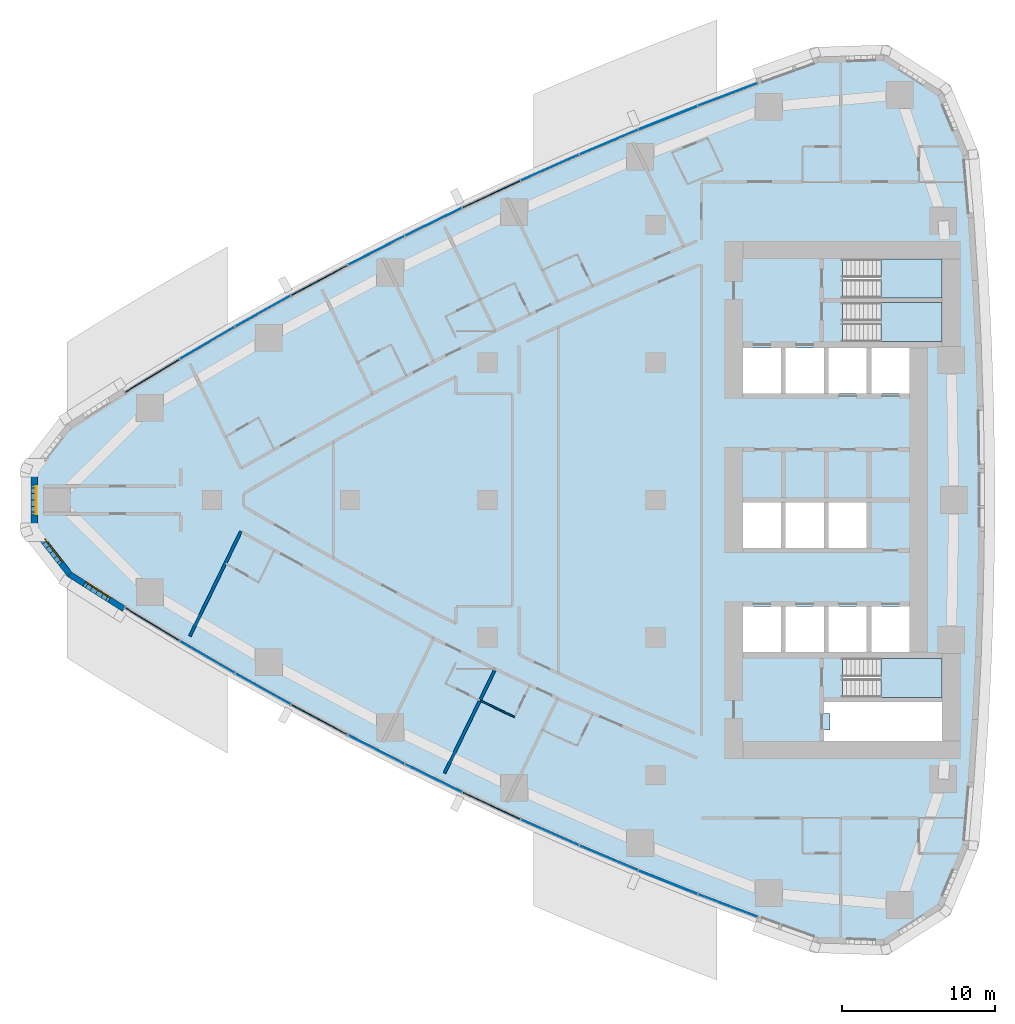
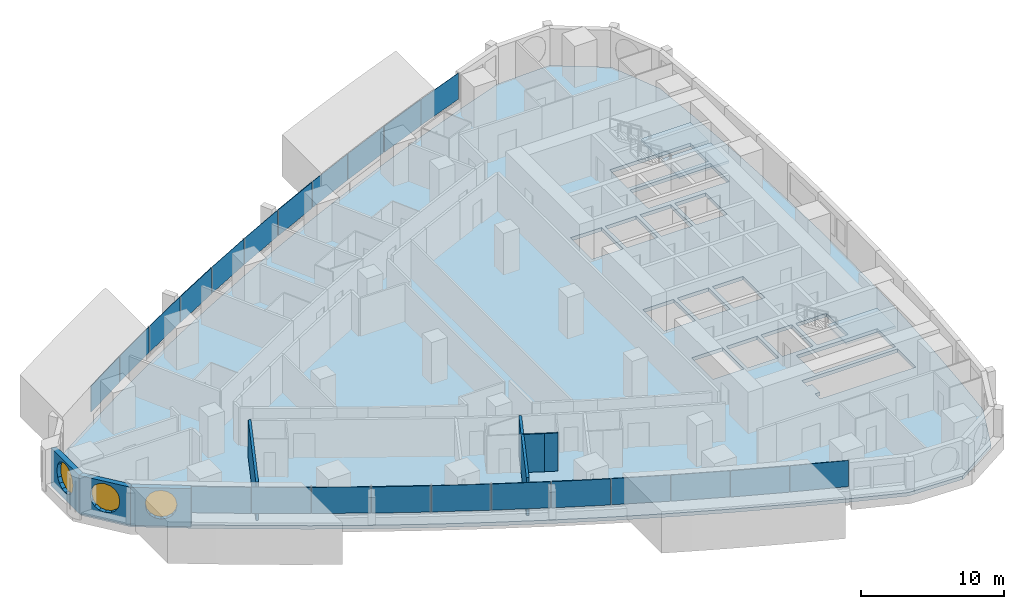
# One storey, part 8 of 19: 22 plates, 7 walls, 4 slabs, 3 windows, 4 openings, 13 elements without a shape of their own.
"""IFC4 building model written with IfcOpenShell, lengths in metres."""

from ifc_helpers import new_model, si_unit, direction, frame, frame_2d, origin, origin_2d, place, context, subcontext, project, spatial, polyline, rectangle, outline, extrude, material, layer, layer_set, type_object, element, fill, aggregate, save


model = new_model("IFC4")

# Units and contexts
model_context = context("Model", 3, precision=1e-05, world=origin(), true_north=direction((0.0, 1.0)))
body_context = subcontext(model_context, "Body", "Model", "MODEL_VIEW")
ifc_project = project(units=[si_unit("LENGTHUNIT", "METRE"), si_unit("AREAUNIT", "SQUARE_METRE"), si_unit("VOLUMEUNIT", "CUBIC_METRE"), si_unit("PLANEANGLEUNIT", "RADIAN"), si_unit("MASSUNIT", "GRAM", prefix="KILO")], contexts=[model_context])

# Site, building, storey
site_placement = place(None, origin())
site = spatial("IfcSite", under=ifc_project, at=site_placement, CompositionType="ELEMENT")
building_placement = place(site_placement, origin())
building = spatial("IfcBuilding", under=site, at=building_placement, Name="Ostrand Prow Hotel Tower", CompositionType="ELEMENT")
storey_placement = place(building_placement, frame((0.0, 0.0, 39.60009765625)))
storey = spatial("IfcBuildingStorey", under=building, at=storey_placement, Name="L07", CompositionType="ELEMENT", Elevation=39.60009765625)

# Curtain wall, plate
ifc_material_1 = material(Name="Insulated glass in bronze anodised frame", Category="glass")
ifc_layer_1 = layer(ifc_material_1, 0.199951171875)
ifc_layer_set_1 = layer_set([ifc_layer_1], Name="Insulated glass in bronze anodised frame")
curtain_wall_type = type_object("IfcCurtainWallType", Name="Strip curtain wall, fritted glass over bronze spandrel", PredefinedType="NOTDEFINED", material=ifc_layer_set_1)
curtain_wall_1_placement = place(storey_placement, origin())
curtain_wall_1 = element("IfcCurtainWall", 1, at=curtain_wall_1_placement, inside=storey, type_object=curtain_wall_type, Name="CW1 run CWS1", PredefinedType="NOTDEFINED")
ifc_material_2 = material(Name="Ceramic-fritted glass", Category="glass")
ifc_layer_2 = layer(ifc_material_2, 0.031982421875)
ifc_layer_set_2 = layer_set([ifc_layer_2], Name="Ceramic-fritted glass")
plate_type_1 = type_object("IfcPlateType", Name="Dot-fritted ceramic glass unit 32 mm", PredefinedType="CURTAIN_PANEL", material=ifc_layer_set_2)
plate_1_placement = place(storey_placement, frame((15.688720703125, -10.268798828125, 1.02001953125), z_axis=(0.0, 0.0, 1.0), x_axis=(0.863690392896, -0.50402272292, 0.0)))
plate_1 = element("IfcPlate", 2, at=plate_1_placement, type_object=plate_type_1, Name="CW1 PN-D panel 2.2", PredefinedType="CURTAIN_PANEL", context=body_context, shape_type="SweptSolid", body=[
    extrude(rectangle(XDim=4.13427734375, YDim=0.031982421875, at=origin_2d()), origin(), (0.0, 0.0, 1.0), 2.22998046875),
])

# Curtain wall, plates
curtain_wall_2_placement = place(storey_placement, origin())
curtain_wall_2 = element("IfcCurtainWall", 3, at=curtain_wall_2_placement, inside=storey, type_object=curtain_wall_type, Name="CW1 run CWS2", PredefinedType="NOTDEFINED")
plate_2_placement = place(storey_placement, frame((19.33056640625, -12.349365234375, 1.02001953125), z_axis=(0.0, 0.0, 1.0), x_axis=(0.872819029241, -0.488043996167, 0.0)))
plate_2 = element("IfcPlate", 4, at=plate_2_placement, type_object=plate_type_1, Name="CW1 PN-D panel 1.2", PredefinedType="CURTAIN_PANEL", context=body_context, shape_type="SweptSolid", body=[
    extrude(rectangle(XDim=4.13427734375, YDim=0.031982421875, at=origin_2d()), origin(), (0.0, 0.0, 1.0), 2.22998046875),
])
plate_3_placement = place(storey_placement, frame((26.7255859375, -16.3076171875, 1.02001953125), z_axis=(0.0, 0.0, 1.0), x_axis=(0.890186565631, -0.455596179055, 0.0)))
plate_3 = element("IfcPlate", 5, at=plate_3_placement, type_object=plate_type_1, Name="CW1 PN-D panel 3.2", PredefinedType="CURTAIN_PANEL", context=body_context, shape_type="SweptSolid", body=[
    extrude(rectangle(XDim=4.13427734375, YDim=0.031982421875, at=origin_2d()), origin(), (0.0, 0.0, 1.0), 2.22998046875),
])

# Curtain wall, plate
curtain_wall_3_placement = place(storey_placement, origin())
curtain_wall_3 = element("IfcCurtainWall", 6, at=curtain_wall_3_placement, inside=storey, type_object=curtain_wall_type, Name="CW1 run CWS3", PredefinedType="NOTDEFINED")
plate_4_placement = place(storey_placement, frame((30.4765625, -18.183837890625, 1.02001953125), z_axis=(0.0, 0.0, 1.0), x_axis=(0.898419584131, -0.439138077204, 0.0)))
plate_4 = element("IfcPlate", 7, at=plate_4_placement, type_object=plate_type_1, Name="CW1 PN-D panel 1.2", PredefinedType="CURTAIN_PANEL", context=body_context, shape_type="SweptSolid", body=[
    extrude(rectangle(XDim=4.13427734375, YDim=0.031982421875, at=origin_2d()), origin(), (0.0, 0.0, 1.0), 2.22998046875),
])

# Curtain wall, plates
curtain_wall_4_placement = place(storey_placement, origin())
curtain_wall_4 = element("IfcCurtainWall", 8, at=curtain_wall_4_placement, inside=storey, type_object=curtain_wall_type, Name="CW1 run CWS4", PredefinedType="NOTDEFINED")
plate_5_placement = place(storey_placement, frame((38.078857421875, -21.72802734375, 1.02001953125), z_axis=(0.0, 0.0, 1.0), x_axis=(0.913970890274, -0.405779757666, 0.0)))
plate_5 = element("IfcPlate", 9, at=plate_5_placement, type_object=plate_type_1, Name="CW1 PN-D panel 1.2", PredefinedType="CURTAIN_PANEL", context=body_context, shape_type="SweptSolid", body=[
    extrude(rectangle(XDim=4.13427734375, YDim=0.031982421875, at=origin_2d()), origin(), (0.0, 0.0, 1.0), 2.22998046875),
])
plate_6_placement = place(storey_placement, frame((41.927490234375, -23.39453125, 1.02001953125), z_axis=(0.0, 0.0, 1.0), x_axis=(0.921283173987, -0.388892418709, 0.0)))
plate_6 = element("IfcPlate", 10, at=plate_6_placement, type_object=plate_type_1, Name="CW1 PN-D panel 2.2", PredefinedType="CURTAIN_PANEL", context=body_context, shape_type="SweptSolid", body=[
    extrude(rectangle(XDim=4.13427734375, YDim=0.031982421875, at=origin_2d()), origin(), (0.0, 0.0, 1.0), 2.22998046875),
])
aggregate(curtain_wall_4, [plate_5, plate_6])

# Curtain wall, plate
curtain_wall_5_placement = place(storey_placement, origin())
curtain_wall_5 = element("IfcCurtainWall", 11, at=curtain_wall_5_placement, inside=storey, type_object=curtain_wall_type, Name="CW1 run CWS5", PredefinedType="NOTDEFINED")
plate_7_placement = place(storey_placement, frame((49.7138671875, -26.513671875, 1.02001953125), z_axis=(0.0, 0.0, 1.0), x_axis=(0.934969388384, -0.354728407072, 0.0)))
plate_7 = element("IfcPlate", 12, at=plate_7_placement, type_object=plate_type_1, Name="CW1 PN-D panel 2.2", PredefinedType="CURTAIN_PANEL", context=body_context, shape_type="SweptSolid", body=[
    extrude(rectangle(XDim=4.13427734375, YDim=0.031982421875, at=origin_2d()), origin(), (0.0, 0.0, 1.0), 2.22998046875),
])

curtain_wall_6_placement = place(storey_placement, origin())
curtain_wall_6 = element("IfcCurtainWall", 13, at=curtain_wall_6_placement, inside=storey, type_object=curtain_wall_type, Name="CW1 run CWN1", PredefinedType="NOTDEFINED")
plate_8_placement = place(storey_placement, frame((49.7138671875, 26.513671875, 1.02001953125), z_axis=(0.0, 0.0, 1.0), x_axis=(-0.934969388384, -0.354728407072, 0.0)))
plate_8 = element("IfcPlate", 14, at=plate_8_placement, type_object=plate_type_1, Name="CW1 PN-D panel 1.2", PredefinedType="CURTAIN_PANEL", context=body_context, shape_type="SweptSolid", body=[
    extrude(rectangle(XDim=4.13427734375, YDim=0.031982421875, at=origin_2d()), origin(), (0.0, 0.0, 1.0), 2.22998046875),
])

# Curtain wall, plates
curtain_wall_7_placement = place(storey_placement, origin())
curtain_wall_7 = element("IfcCurtainWall", 15, at=curtain_wall_7_placement, inside=storey, type_object=curtain_wall_type, Name="CW1 run CWN2", PredefinedType="NOTDEFINED")
plate_9_placement = place(storey_placement, frame((41.927490234375, 23.39453125, 1.02001953125), z_axis=(0.0, 0.0, 1.0), x_axis=(-0.921283173987, -0.388892418709, 0.0)))
plate_9 = element("IfcPlate", 16, at=plate_9_placement, type_object=plate_type_1, Name="CW1 PN-D panel 1.2", PredefinedType="CURTAIN_PANEL", context=body_context, shape_type="SweptSolid", body=[
    extrude(rectangle(XDim=4.13427734375, YDim=0.031982421875, at=origin_2d()), origin(), (0.0, 0.0, 1.0), 2.22998046875),
])
plate_10_placement = place(storey_placement, frame((38.078857421875, 21.72802734375, 1.02001953125), z_axis=(0.0, 0.0, 1.0), x_axis=(-0.913970890274, -0.405779757666, 0.0)))
plate_10 = element("IfcPlate", 17, at=plate_10_placement, type_object=plate_type_1, Name="CW1 PN-D panel 2.2", PredefinedType="CURTAIN_PANEL", context=body_context, shape_type="SweptSolid", body=[
    extrude(rectangle(XDim=4.13427734375, YDim=0.031982421875, at=origin_2d()), origin(), (0.0, 0.0, 1.0), 2.22998046875),
])
aggregate(curtain_wall_7, [plate_9, plate_10])

# Curtain wall, plate
curtain_wall_8_placement = place(storey_placement, origin())
curtain_wall_8 = element("IfcCurtainWall", 18, at=curtain_wall_8_placement, inside=storey, type_object=curtain_wall_type, Name="CW1 run CWN3", PredefinedType="NOTDEFINED")
plate_11_placement = place(storey_placement, frame((30.4765625, 18.183837890625, 1.02001953125), z_axis=(0.0, 0.0, 1.0), x_axis=(-0.898419584131, -0.439138077204, 0.0)))
plate_11 = element("IfcPlate", 19, at=plate_11_placement, type_object=plate_type_1, Name="CW1 PN-D panel 2.2", PredefinedType="CURTAIN_PANEL", context=body_context, shape_type="SweptSolid", body=[
    extrude(rectangle(XDim=4.13427734375, YDim=0.031982421875, at=origin_2d()), origin(), (0.0, 0.0, 1.0), 2.22998046875),
])

# Curtain wall, plates
curtain_wall_9_placement = place(storey_placement, origin())
curtain_wall_9 = element("IfcCurtainWall", 20, at=curtain_wall_9_placement, inside=storey, type_object=curtain_wall_type, Name="CW1 run CWN4", PredefinedType="NOTDEFINED")
plate_12_placement = place(storey_placement, frame((26.7255859375, 16.3076171875, 1.02001953125), z_axis=(0.0, 0.0, 1.0), x_axis=(-0.890186565631, -0.455596179055, 0.0)))
plate_12 = element("IfcPlate", 21, at=plate_12_placement, type_object=plate_type_1, Name="CW1 PN-D panel 1.2", PredefinedType="CURTAIN_PANEL", context=body_context, shape_type="SweptSolid", body=[
    extrude(rectangle(XDim=4.13427734375, YDim=0.031982421875, at=origin_2d()), origin(), (0.0, 0.0, 1.0), 2.22998046875),
])
plate_13_placement = place(storey_placement, frame((19.33056640625, 12.349365234375, 1.02001953125), z_axis=(0.0, 0.0, 1.0), x_axis=(-0.872819029241, -0.488043996167, 0.0)))
plate_13 = element("IfcPlate", 22, at=plate_13_placement, type_object=plate_type_1, Name="CW1 PN-D panel 3.2", PredefinedType="CURTAIN_PANEL", context=body_context, shape_type="SweptSolid", body=[
    extrude(rectangle(XDim=4.13427734375, YDim=0.031982421875, at=origin_2d()), origin(), (0.0, 0.0, 1.0), 2.22998046875),
])

# Curtain wall, plate
curtain_wall_10_placement = place(storey_placement, origin())
curtain_wall_10 = element("IfcCurtainWall", 23, at=curtain_wall_10_placement, inside=storey, type_object=curtain_wall_type, Name="CW1 run CWN5", PredefinedType="NOTDEFINED")
plate_14_placement = place(storey_placement, frame((15.688720703125, 10.268798828125, 1.02001953125), z_axis=(0.0, 0.0, 1.0), x_axis=(-0.863690392896, -0.50402272292, 0.0)))
plate_14 = element("IfcPlate", 24, at=plate_14_placement, type_object=plate_type_1, Name="CW1 PN-D panel 1.2", PredefinedType="CURTAIN_PANEL", context=body_context, shape_type="SweptSolid", body=[
    extrude(rectangle(XDim=4.13427734375, YDim=0.031982421875, at=origin_2d()), origin(), (0.0, 0.0, 1.0), 2.22998046875),
])

# Plate
ifc_material_3 = material(Name="Fritted glass in bronze vent frame", Category="glass")
ifc_layer_3 = layer(ifc_material_3, 0.06005859375)
ifc_layer_set_3 = layer_set([ifc_layer_3], Name="Fritted glass in bronze vent frame")
plate_type_2 = type_object("IfcPlateType", Name="Operable vent panel 60 mm", PredefinedType="CURTAIN_PANEL", material=ifc_layer_set_3)
plate_15_placement = place(storey_placement, frame((12.0859375, -8.12158203125, 1.02001953125), z_axis=(0.0, 0.0, 1.0), x_axis=(0.854269266322, -0.519830761515, 0.0)))
plate_15 = element("IfcPlate", 25, at=plate_15_placement, type_object=plate_type_2, Name="CW1 PN-O panel 1.2", PredefinedType="CURTAIN_PANEL", context=body_context, shape_type="SweptSolid", body=[
    extrude(rectangle(XDim=4.13427734375, YDim=0.06005859375, at=origin_2d()), origin(), (0.0, 0.0, 1.0), 2.22998046875),
])

aggregate(curtain_wall_1, [plate_15, plate_1])

plate_16_placement = place(storey_placement, frame((23.009765625, -14.362548828125, 1.02001953125), z_axis=(0.0, 0.0, 1.0), x_axis=(0.881652083929, -0.471899992481, 0.0)))
plate_16 = element("IfcPlate", 26, at=plate_16_placement, type_object=plate_type_2, Name="CW1 PN-O panel 2.2", PredefinedType="CURTAIN_PANEL", context=body_context, shape_type="SweptSolid", body=[
    extrude(rectangle(XDim=4.13427734375, YDim=0.06005859375, at=origin_2d()), origin(), (0.0, 0.0, 1.0), 2.22998046875),
])

aggregate(curtain_wall_2, [plate_2, plate_16, plate_3])

plate_17_placement = place(storey_placement, frame((34.26123046875, -19.990966796875, 1.02001953125), z_axis=(0.0, 0.0, 1.0), x_axis=(0.906349088757, -0.422529678615, 0.0)))
plate_17 = element("IfcPlate", 27, at=plate_17_placement, type_object=plate_type_2, Name="CW1 PN-O panel 2.2", PredefinedType="CURTAIN_PANEL", context=body_context, shape_type="SweptSolid", body=[
    extrude(rectangle(XDim=4.13427734375, YDim=0.06005859375, at=origin_2d()), origin(), (0.0, 0.0, 1.0), 2.22998046875),
])

aggregate(curtain_wall_3, [plate_4, plate_17])

plate_18_placement = place(storey_placement, frame((45.806396484375, -24.989990234375, 1.02001953125), z_axis=(0.0, 0.0, 1.0), x_axis=(0.928283463577, -0.371873380669, 0.0)))
plate_18 = element("IfcPlate", 28, at=plate_18_placement, type_object=plate_type_2, Name="CW1 PN-O panel 1.2", PredefinedType="CURTAIN_PANEL", context=body_context, shape_type="SweptSolid", body=[
    extrude(rectangle(XDim=4.13427734375, YDim=0.06005859375, at=origin_2d()), origin(), (0.0, 0.0, 1.0), 2.22998046875),
])

aggregate(curtain_wall_5, [plate_18, plate_7])

plate_19_placement = place(storey_placement, frame((45.806396484375, 24.989990234375, 1.02001953125), z_axis=(0.0, 0.0, 1.0), x_axis=(-0.928283463577, -0.371873380669, 0.0)))
plate_19 = element("IfcPlate", 29, at=plate_19_placement, type_object=plate_type_2, Name="CW1 PN-O panel 2.2", PredefinedType="CURTAIN_PANEL", context=body_context, shape_type="SweptSolid", body=[
    extrude(rectangle(XDim=4.13427734375, YDim=0.06005859375, at=origin_2d()), origin(), (0.0, 0.0, 1.0), 2.22998046875),
])

aggregate(curtain_wall_6, [plate_8, plate_19])

plate_20_placement = place(storey_placement, frame((34.26123046875, 19.990966796875, 1.02001953125), z_axis=(0.0, 0.0, 1.0), x_axis=(-0.906349088757, -0.422529678615, 0.0)))
plate_20 = element("IfcPlate", 30, at=plate_20_placement, type_object=plate_type_2, Name="CW1 PN-O panel 1.2", PredefinedType="CURTAIN_PANEL", context=body_context, shape_type="SweptSolid", body=[
    extrude(rectangle(XDim=4.13427734375, YDim=0.06005859375, at=origin_2d()), origin(), (0.0, 0.0, 1.0), 2.22998046875),
])

aggregate(curtain_wall_8, [plate_20, plate_11])

plate_21_placement = place(storey_placement, frame((23.009765625, 14.362548828125, 1.02001953125), z_axis=(0.0, 0.0, 1.0), x_axis=(-0.881652083929, -0.471899992481, 0.0)))
plate_21 = element("IfcPlate", 31, at=plate_21_placement, type_object=plate_type_2, Name="CW1 PN-O panel 2.2", PredefinedType="CURTAIN_PANEL", context=body_context, shape_type="SweptSolid", body=[
    extrude(rectangle(XDim=4.13427734375, YDim=0.06005859375, at=origin_2d()), origin(), (0.0, 0.0, 1.0), 2.22998046875),
])

aggregate(curtain_wall_9, [plate_12, plate_21, plate_13])

plate_22_placement = place(storey_placement, frame((12.0859375, 8.12158203125, 1.02001953125), z_axis=(0.0, 0.0, 1.0), x_axis=(-0.854269266322, -0.519830761515, 0.0)))
plate_22 = element("IfcPlate", 32, at=plate_22_placement, type_object=plate_type_2, Name="CW1 PN-O panel 2.2", PredefinedType="CURTAIN_PANEL", context=body_context, shape_type="SweptSolid", body=[
    extrude(rectangle(XDim=4.13427734375, YDim=0.06005859375, at=origin_2d()), origin(), (0.0, 0.0, 1.0), 2.22998046875),
])

aggregate(curtain_wall_10, [plate_14, plate_22])

# Slab, opening
ifc_material_4 = material(Name="Concrete C40/50", Category="concrete")
ifc_layer_4 = layer(ifc_material_4, 0.300048828125)
ifc_layer_set_4 = layer_set([ifc_layer_4], Name="Concrete C40/50")
slab_type_1 = type_object("IfcSlabType", Name="PT flat plate 300 C40/50", PredefinedType="FLOOR", material=ifc_layer_set_4)
slab_1_placement = place(storey_placement, frame((0.0, 0.0, -0.300048828125)))
slab_1 = element("IfcSlab", 33, at=slab_1_placement, inside=storey, type_object=slab_type_1, Name="Floor slab L07-1", PredefinedType="FLOOR", context=body_context, shape_type="SweptSolid", body=[
    extrude(outline(polyline([(6.690673828125, 4.805908203125), (10.26806640625, 7.073974609375), (13.851806640625, 9.2548828125), (17.47509765625, 11.369384765625), (21.136962890625, 13.416748046875), (24.83544921875, 15.396484375), (28.570068359375, 17.3076171875), (32.339111328125, 19.14990234375), (36.141357421875, 20.922607421875), (39.9755859375, 22.625), (43.840576171875, 24.25634765625), (47.73486328125, 25.81640625), (51.6572265625, 27.3046875), (55.64111328125, 28.73291015625), (59.92333984375, 28.873046875), (63.55908203125, 26.53369140625), (65.2060546875, 22.578369140625), (65.552978515625, 18.45166015625), (65.828369140625, 14.356689453125), (66.034912109375, 10.2578125), (66.172607421875, 6.15576171875), (66.241455078125, 2.052001953125), (66.241455078125, -2.052001953125), (66.172607421875, -6.15576171875), (66.034912109375, -10.2578125), (65.828369140625, -14.356689453125), (65.552978515625, -18.45166015625), (65.2060546875, -22.578369140625), (63.55908203125, -26.53369140625), (59.92333984375, -28.873046875), (55.64111328125, -28.73291015625), (51.6572265625, -27.3046875), (47.73486328125, -25.81640625), (43.840576171875, -24.25634765625), (39.9755859375, -22.625), (36.141357421875, -20.922607421875), (32.339111328125, -19.14990234375), (28.570068359375, -17.3076171875), (24.83544921875, -15.396484375), (21.136962890625, -13.416748046875), (17.47509765625, -11.369384765625), (13.851806640625, -9.2548828125), (10.26806640625, -7.073974609375), (6.690673828125, -4.805908203125), (4.399169921875, -1.8798828125), (4.399169921875, 1.8798828125), (6.690673828125, 4.805908203125)]), holes=[polyline([(50.699951171875, 6.949951171875), (53.199951171875, 6.949951171875), (53.199951171875, 9.949951171875), (50.699951171875, 9.949951171875), (50.699951171875, 6.949951171875)]), polyline([(53.5, 6.949951171875), (56.0, 6.949951171875), (56.0, 9.949951171875), (53.5, 9.949951171875), (53.5, 6.949951171875)]), polyline([(56.300048828125, 6.949951171875), (58.800048828125, 6.949951171875), (58.800048828125, 9.949951171875), (56.300048828125, 9.949951171875), (56.300048828125, 6.949951171875)]), polyline([(59.10009765625, 6.949951171875), (61.60009765625, 6.949951171875), (61.60009765625, 9.949951171875), (59.10009765625, 9.949951171875), (59.10009765625, 6.949951171875)]), polyline([(50.699951171875, -3.14990234375), (53.199951171875, -3.14990234375), (53.199951171875, -0.14990234375), (50.699951171875, -0.14990234375), (50.699951171875, -3.14990234375)]), polyline([(53.5, -3.14990234375), (56.0, -3.14990234375), (56.0, -0.14990234375), (53.5, -0.14990234375), (53.5, -3.14990234375)]), polyline([(56.300048828125, -3.14990234375), (58.800048828125, -3.14990234375), (58.800048828125, -0.14990234375), (56.300048828125, -0.14990234375), (56.300048828125, -3.14990234375)]), polyline([(50.699951171875, -9.949951171875), (53.199951171875, -9.949951171875), (53.199951171875, -6.949951171875), (50.699951171875, -6.949951171875), (50.699951171875, -9.949951171875)]), polyline([(53.5, -9.949951171875), (56.0, -9.949951171875), (56.0, -6.949951171875), (53.5, -6.949951171875), (53.5, -9.949951171875)]), polyline([(56.300048828125, -9.949951171875), (58.800048828125, -9.949951171875), (58.800048828125, -6.949951171875), (56.300048828125, -6.949951171875), (56.300048828125, -9.949951171875)]), polyline([(59.10009765625, -9.949951171875), (61.60009765625, -9.949951171875), (61.60009765625, -6.949951171875), (59.10009765625, -6.949951171875), (59.10009765625, -9.949951171875)]), polyline([(57.200927734375, 10.35107421875), (57.200927734375, 12.89892578125), (63.718994140625, 12.89892578125), (63.718994140625, 10.35107421875), (57.200927734375, 10.35107421875)]), polyline([(57.200927734375, 13.200927734375), (57.200927734375, 15.7490234375), (63.718994140625, 15.7490234375), (63.718994140625, 13.200927734375), (57.200927734375, 13.200927734375)]), polyline([(57.200927734375, -12.89892578125), (57.200927734375, -10.35107421875), (63.718994140625, -10.35107421875), (63.718994140625, -12.89892578125), (57.200927734375, -12.89892578125)]), polyline([(56.0, -13.199951171875), (63.719970703125, -13.199951171875), (63.719970703125, -15.75), (56.0, -15.75), (56.0, -15.050048828125), (56.39990234375, -15.050048828125), (56.39990234375, -13.949951171875), (56.0, -13.949951171875), (56.0, -13.199951171875)])]), origin(), (0.0, 0.0, 1.0), 0.300048828125),
])
opening_1_placement = place(slab_1_placement, origin())
element("IfcOpeningElement", 34, at=opening_1_placement, cuts=slab_1, Name="Shaft opening 1", PredefinedType="OPENING", context=body_context, shape_type="SweptSolid", body=[
    extrude(outline(polyline([(56.0, -13.199951171875), (63.719970703125, -13.199951171875), (63.719970703125, -15.75), (56.0, -15.75), (56.0, -15.050048828125), (56.39990234375, -15.050048828125), (56.39990234375, -13.949951171875), (56.0, -13.949951171875), (56.0, -13.199951171875)])), origin(), (0.0, 0.0, 1.0), 0.300048828125),
])

# Stair, slab
ifc_material_5 = material(Name="Concrete C40/50", Category="concrete")
stair_type = type_object("IfcStairType", Name="Exit stair 1200 upper zone", PredefinedType="HALF_TURN_STAIR", material=ifc_material_5)
stair_1_placement = place(storey_placement, origin())
stair_1 = element("IfcStair", 35, at=stair_1_placement, inside=storey, type_object=stair_type, Name="L07 ST1C", PredefinedType="HALF_TURN_STAIR")
ifc_material_6 = material(Name="Concrete C40/50", Category="concrete")
ifc_layer_5 = layer(ifc_material_6, 0.199951171875)
ifc_layer_set_5 = layer_set([ifc_layer_5], Name="Concrete C40/50")
slab_type_2 = type_object("IfcSlabType", Name="Stair landing 200 concrete", PredefinedType="LANDING", material=ifc_layer_set_5)
slab_2_placement = place(storey_placement, frame((0.0, 0.0, 1.574951171875)))
slab_2 = element("IfcSlab", 36, at=slab_2_placement, type_object=slab_type_2, Name="ST1C landing 1", PredefinedType="LANDING", context=body_context, shape_type="SweptSolid", body=[
    extrude(outline(polyline([(59.719970703125, 10.35009765625), (63.719970703125, 10.35009765625), (63.719970703125, 12.89990234375), (59.719970703125, 12.89990234375), (59.719970703125, 10.35009765625)])), origin(), (0.0, 0.0, 1.0), 0.199951171875),
])
aggregate(stair_1, [slab_2])

stair_2_placement = place(storey_placement, origin())
stair_2 = element("IfcStair", 37, at=stair_2_placement, inside=storey, type_object=stair_type, Name="L07 ST3C", PredefinedType="HALF_TURN_STAIR")
slab_3_placement = place(storey_placement, frame((0.0, 0.0, 1.574951171875)))
slab_3 = element("IfcSlab", 38, at=slab_3_placement, type_object=slab_type_2, Name="ST3C landing 1", PredefinedType="LANDING", context=body_context, shape_type="SweptSolid", body=[
    extrude(outline(polyline([(59.719970703125, 13.199951171875), (63.719970703125, 13.199951171875), (63.719970703125, 15.75), (59.719970703125, 15.75), (59.719970703125, 13.199951171875)])), origin(), (0.0, 0.0, 1.0), 0.199951171875),
])
aggregate(stair_2, [slab_3])

stair_3_placement = place(storey_placement, origin())
stair_3 = element("IfcStair", 39, at=stair_3_placement, inside=storey, type_object=stair_type, Name="L07 ST2C", PredefinedType="HALF_TURN_STAIR")
slab_4_placement = place(storey_placement, frame((0.0, 0.0, 1.574951171875)))
slab_4 = element("IfcSlab", 40, at=slab_4_placement, type_object=slab_type_2, Name="ST2C landing 1", PredefinedType="LANDING", context=body_context, shape_type="SweptSolid", body=[
    extrude(outline(polyline([(59.719970703125, -12.89990234375), (63.719970703125, -12.89990234375), (63.719970703125, -10.35009765625), (59.719970703125, -10.35009765625), (59.719970703125, -12.89990234375)])), origin(), (0.0, 0.0, 1.0), 0.199951171875),
])
aggregate(stair_3, [slab_4])

# Walls
ifc_material_7 = material(Name="Plasterboard partition")
ifc_layer_6 = layer(ifc_material_7, 0.10009765625)
ifc_layer_set_6 = layer_set([ifc_layer_6], Name="Plasterboard partition")
wall_type_1 = type_object("IfcWallType", Name="Partition 100 bathroom wall", PredefinedType="PARTITIONING", material=ifc_layer_set_6)
wall_1_placement = place(storey_placement, frame((35.766845703125, -14.18310546875, 0.0), z_axis=(0.0, 0.0, 1.0), x_axis=(-0.906477304063, 0.422254540791, 0.0)))
element("IfcWall", 41, at=wall_1_placement, inside=storey, type_object=wall_type_1, Name="BATHROOM WALL", PredefinedType="PARTITIONING", context=body_context, shape_type="SweptSolid", body=[
    extrude(rectangle(XDim=0.953369140625, YDim=0.10009765625, at=frame_2d((0.4765625, 0.0))), origin(), (0.0, 0.0, 1.0), 3.25),
])
wall_2_placement = place(storey_placement, frame((34.902587890625, -13.780517578125, 0.0), z_axis=(0.0, 0.0, 1.0), x_axis=(-0.898338680123, 0.439303557685, 0.0)))
element("IfcWall", 42, at=wall_2_placement, inside=storey, type_object=wall_type_1, Name="BATHROOM WALL", PredefinedType="PARTITIONING", context=body_context, shape_type="SweptSolid", body=[
    extrude(rectangle(XDim=1.546630859375, YDim=0.10009765625, at=frame_2d((0.7734375, 0.0))), origin(), (0.0, 0.0, 1.0), 3.25),
])
ifc_material_8 = material(Name="Plasterboard partition")
ifc_layer_7 = layer(ifc_material_8, 0.199951171875)
ifc_layer_set_7 = layer_set([ifc_layer_7], Name="Plasterboard partition")
wall_type_2 = type_object("IfcWallType", Name="Partition 200 key partition", PredefinedType="PARTITIONING", material=ifc_layer_set_7)
wall_3_placement = place(storey_placement, frame((14.540771484375, -8.904296875, 0.0), z_axis=(0.0, 0.0, 1.0), x_axis=(0.438213564788, 0.898870887078, 0.0)))
element("IfcWall", 43, at=wall_3_placement, inside=storey, type_object=wall_type_2, Name="KEY PARTITION", PredefinedType="PARTITIONING", context=body_context, shape_type="SweptSolid", body=[
    extrude(rectangle(XDim=7.62548828125, YDim=0.199951171875, at=frame_2d((3.812744140625, 0.0))), origin(), (0.0, 0.0, 1.0), 3.25),
])
wall_4_placement = place(storey_placement, frame((31.190673828125, -17.865234375, 0.0), z_axis=(0.0, 0.0, 1.0), x_axis=(0.438187612283, 0.898883538865, 0.0)))
element("IfcWall", 44, at=wall_4_placement, inside=storey, type_object=wall_type_2, Name="KEY PARTITION", PredefinedType="PARTITIONING", context=body_context, shape_type="SweptSolid", body=[
    extrude(rectangle(XDim=7.581787109375, YDim=0.199951171875, at=frame_2d((3.791015625, 0.0))), origin(), (0.0, 0.0, 1.0), 3.25),
])

# Wall, opening, window
ifc_material_9 = material(Name="Precast concrete C40/50", Category="concrete")
ifc_layer_8 = layer(ifc_material_9, 0.39990234375)
ifc_layer_set_8 = layer_set([ifc_layer_8], Name="Precast concrete C40/50")
wall_type_3 = type_object("IfcWallType", Name="Stone-faced precast wall 400 mm", PredefinedType="NOTDEFINED", material=ifc_layer_set_8)
wall_5_placement = place(storey_placement, frame((4.365478515625, 1.891357421875, 0.0), z_axis=(0.0, 0.0, 1.0), x_axis=(0.0, -1.0, 0.0)))
wall_5 = element("IfcWall", 45, at=wall_5_placement, inside=storey, type_object=wall_type_3, Name="Stone-faced wall prow 3", PredefinedType="NOTDEFINED", context=body_context, shape_type="SweptSolid", body=[
    extrude(outline(polyline([(-0.069091796875, -0.199951171875), (3.851806640625, -0.199951171875), (3.713623046875, 0.199951171875), (0.069091796875, 0.199951171875), (-0.069091796875, -0.199951171875)])), origin(), (0.0, 0.0, 1.0), 3.25),
])
opening_2_placement = place(wall_5_placement, frame((0.79150390625, 0.0, 0.60009765625)))
opening_2 = element("IfcOpeningElement", 46, at=opening_2_placement, cuts=wall_5, Name="Opening WP1", PredefinedType="OPENING", context=body_context, shape_type="SweptSolid", body=[
    extrude(outline(polyline([(0.0, 1.35009765625), (0.083740234375, 1.77099609375), (0.322265625, 2.127685546875), (0.678955078125, 2.3662109375), (1.10009765625, 2.449951171875), (1.52099609375, 2.3662109375), (1.877685546875, 2.127685546875), (2.1162109375, 1.77099609375), (2.199951171875, 1.35009765625), (2.199951171875, 1.10009765625), (2.1162109375, 0.678955078125), (1.877685546875, 0.322265625), (1.52099609375, 0.083740234375), (1.10009765625, 0.0), (0.678955078125, 0.083740234375), (0.322265625, 0.322265625), (0.083740234375, 0.678955078125), (0.0, 1.099853515625), (0.0, 1.35009765625)])), frame((0.0, 0.2099609375, 0.0), z_axis=(0.0, -1.0, 0.0), x_axis=(1.0, 0.0, 0.0)), (0.0, 0.0, 1.0), 0.419921875),
])
ifc_material_10 = material(Name="Insulated glass in bronze frame", Category="glass")
window_type = type_object("IfcWindowType", Name="Round-ended prow window 2200x2450", PartitioningType="SINGLE_PANEL", PredefinedType="WINDOW", material=ifc_material_10)
window_1_placement = place(opening_2_placement, origin())
window_1 = element("IfcWindow", 47, at=window_1_placement, inside=storey, type_object=window_type, Name="Window prow 3.1", OverallHeight=2.449951171875, OverallWidth=2.199951171875, PartitioningType="SINGLE_PANEL", PredefinedType="WINDOW", context=body_context, shape_type="SweptSolid", body=[
    extrude(outline(polyline([(0.0, 1.35009765625), (0.083740234375, 1.77099609375), (0.322265625, 2.127685546875), (0.678955078125, 2.3662109375), (1.10009765625, 2.449951171875), (1.52099609375, 2.3662109375), (1.877685546875, 2.127685546875), (2.1162109375, 1.77099609375), (2.199951171875, 1.35009765625), (2.199951171875, 1.10009765625), (2.1162109375, 0.678955078125), (1.877685546875, 0.322265625), (1.52099609375, 0.083740234375), (1.10009765625, 0.0), (0.678955078125, 0.083740234375), (0.322265625, 0.322265625), (0.083740234375, 0.678955078125), (0.0, 1.099853515625), (0.0, 1.35009765625)])), frame((0.0, 0.169921875, 0.0), z_axis=(0.0, -1.0, 0.0), x_axis=(1.0, 0.0, 0.0)), (0.0, 0.0, 1.0), 0.06005859375),
])
fill(opening_2, window_1)

wall_6_placement = place(storey_placement, frame((4.365478515625, -1.891357421875, 0.0), z_axis=(0.0, 0.0, 1.0), x_axis=(0.616586647779, -0.787287054245, 0.0)))
wall_6 = element("IfcWall", 48, at=wall_6_placement, inside=storey, type_object=wall_type_3, Name="Stone-faced wall prow 4", PredefinedType="NOTDEFINED", context=body_context, shape_type="SweptSolid", body=[
    extrude(outline(polyline([(-0.069091796875, -0.199951171875), (3.8173828125, -0.199951171875), (3.74853515625, 0.199951171875), (0.069091796875, 0.199951171875), (-0.069091796875, -0.199951171875)])), origin(), (0.0, 0.0, 1.0), 3.25),
])
opening_3_placement = place(wall_6_placement, frame((0.79150390625, 0.0, 0.60009765625)))
opening_3 = element("IfcOpeningElement", 49, at=opening_3_placement, cuts=wall_6, Name="Opening WP1", PredefinedType="OPENING", context=body_context, shape_type="SweptSolid", body=[
    extrude(outline(polyline([(0.0, 1.35009765625), (0.083740234375, 1.77099609375), (0.322265625, 2.127685546875), (0.678955078125, 2.3662109375), (1.10009765625, 2.449951171875), (1.52099609375, 2.3662109375), (1.877685546875, 2.127685546875), (2.1162109375, 1.77099609375), (2.199951171875, 1.35009765625), (2.199951171875, 1.10009765625), (2.1162109375, 0.678955078125), (1.877685546875, 0.322265625), (1.52099609375, 0.083740234375), (1.10009765625, 0.0), (0.678955078125, 0.083740234375), (0.322265625, 0.322265625), (0.083740234375, 0.678955078125), (0.0, 1.099853515625), (0.0, 1.35009765625)])), frame((0.0, 0.2099609375, 0.0), z_axis=(0.0, -1.0, 0.0), x_axis=(1.0, 0.0, 0.0)), (0.0, 0.0, 1.0), 0.419921875),
])
window_2_placement = place(opening_3_placement, origin())
window_2 = element("IfcWindow", 50, at=window_2_placement, inside=storey, type_object=window_type, Name="Window prow 4.1", OverallHeight=2.449951171875, OverallWidth=2.199951171875, PartitioningType="SINGLE_PANEL", PredefinedType="WINDOW", context=body_context, shape_type="SweptSolid", body=[
    extrude(outline(polyline([(0.0, 1.35009765625), (0.083740234375, 1.77099609375), (0.322265625, 2.127685546875), (0.678955078125, 2.3662109375), (1.10009765625, 2.449951171875), (1.52099609375, 2.3662109375), (1.877685546875, 2.127685546875), (2.1162109375, 1.77099609375), (2.199951171875, 1.35009765625), (2.199951171875, 1.10009765625), (2.1162109375, 0.678955078125), (1.877685546875, 0.322265625), (1.52099609375, 0.083740234375), (1.10009765625, 0.0), (0.678955078125, 0.083740234375), (0.322265625, 0.322265625), (0.083740234375, 0.678955078125), (0.0, 1.099853515625), (0.0, 1.35009765625)])), frame((0.0, 0.169921875, 0.0), z_axis=(0.0, -1.0, 0.0), x_axis=(1.0, 0.0, 0.0)), (0.0, 0.0, 1.0), 0.06005859375),
])
fill(opening_3, window_2)

wall_7_placement = place(storey_placement, frame((6.697998046875, -4.86962890625, 0.0), z_axis=(0.0, 0.0, 1.0), x_axis=(0.844551578623, -0.535474211372, 0.0)))
wall_7 = element("IfcWall", 51, at=wall_7_placement, inside=storey, type_object=wall_type_3, Name="Stone-faced wall prow 5", PredefinedType="NOTDEFINED", context=body_context, shape_type="SweptSolid", body=[
    extrude(outline(polyline([(-0.034423828125, -0.199951171875), (4.196044921875, -0.199951171875), (4.196044921875, 0.199951171875), (0.034423828125, 0.199951171875), (-0.034423828125, -0.199951171875)])), origin(), (0.0, 0.0, 1.0), 3.25),
])
opening_4_placement = place(wall_7_placement, frame((0.998046875, 0.0, 0.60009765625)))
opening_4 = element("IfcOpeningElement", 52, at=opening_4_placement, cuts=wall_7, Name="Opening WP1", PredefinedType="OPENING", context=body_context, shape_type="SweptSolid", body=[
    extrude(outline(polyline([(0.0, 1.35009765625), (0.083740234375, 1.77099609375), (0.322265625, 2.127685546875), (0.678955078125, 2.3662109375), (1.10009765625, 2.449951171875), (1.52099609375, 2.3662109375), (1.877685546875, 2.127685546875), (2.1162109375, 1.77099609375), (2.199951171875, 1.35009765625), (2.199951171875, 1.10009765625), (2.1162109375, 0.678955078125), (1.877685546875, 0.322265625), (1.52099609375, 0.083740234375), (1.10009765625, 0.0), (0.678955078125, 0.083740234375), (0.322265625, 0.322265625), (0.083740234375, 0.678955078125), (0.0, 1.099853515625), (0.0, 1.35009765625)])), frame((0.0, 0.2099609375, 0.0), z_axis=(0.0, -1.0, 0.0), x_axis=(1.0, 0.0, 0.0)), (0.0, 0.0, 1.0), 0.419921875),
])
window_3_placement = place(opening_4_placement, origin())
window_3 = element("IfcWindow", 53, at=window_3_placement, inside=storey, type_object=window_type, Name="Window prow 5.1", OverallHeight=2.449951171875, OverallWidth=2.199951171875, PartitioningType="SINGLE_PANEL", PredefinedType="WINDOW", context=body_context, shape_type="SweptSolid", body=[
    extrude(outline(polyline([(0.0, 1.35009765625), (0.083740234375, 1.77099609375), (0.322265625, 2.127685546875), (0.678955078125, 2.3662109375), (1.10009765625, 2.449951171875), (1.52099609375, 2.3662109375), (1.877685546875, 2.127685546875), (2.1162109375, 1.77099609375), (2.199951171875, 1.35009765625), (2.199951171875, 1.10009765625), (2.1162109375, 0.678955078125), (1.877685546875, 0.322265625), (1.52099609375, 0.083740234375), (1.10009765625, 0.0), (0.678955078125, 0.083740234375), (0.322265625, 0.322265625), (0.083740234375, 0.678955078125), (0.0, 1.099853515625), (0.0, 1.35009765625)])), frame((0.0, 0.169921875, 0.0), z_axis=(0.0, -1.0, 0.0), x_axis=(1.0, 0.0, 0.0)), (0.0, 0.0, 1.0), 0.06005859375),
])
fill(opening_4, window_3)

save(model, "model.ifc")
